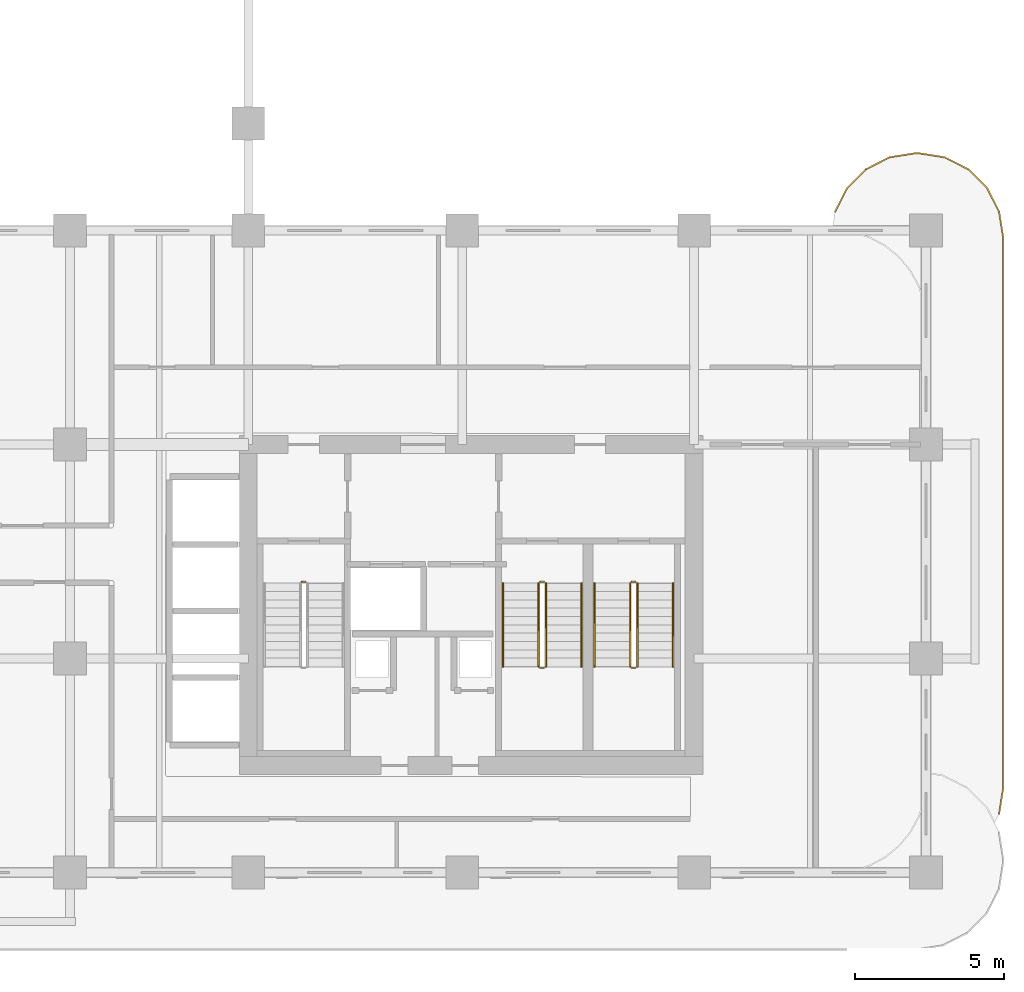
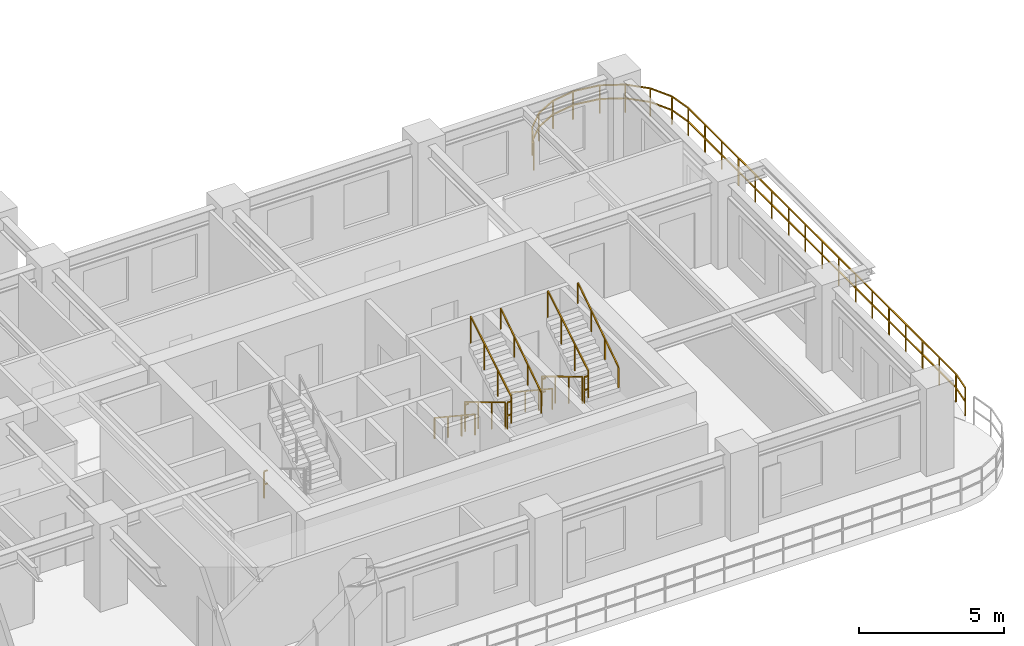
# One storey, part 17 of 19: 14 railings.
"""IFC4 building model written with IfcOpenShell, lengths in metres."""

import ifcopenshell
import ifcopenshell.guid

model = None  # the IFC model being written
_history = None  # IfcOwnerHistory: only IFC2X3 demands one
_inside = {}  # id of a spatial element -> (the spatial element, [elements in it])
_under = {}  # id of a project, library or spatial element -> (it, [spatial elements below it])
_declared = {}  # id of a project -> (the project, [libraries it declares])
_typed = {}  # id of a type object -> (the type object, [elements of that type])
_made_of = {}  # id of a material, layer set ... -> (it, [elements and type objects made of it])


def new_model(schema):
    """Start an empty IFC model of exactly this schema.

    Asked for "IFC4X3", IfcOpenShell would pick the latest addendum, in which some entities
    have other attributes; the version numbers below select the first issue.
    IFC2X3 requires an IfcOwnerHistory on every rooted entity: one is made here for all.
    """
    global model, _history
    if schema == "IFC4X3":
        model = ifcopenshell.file(schema_version=(4, 3, 0, 0))
    else:
        model = ifcopenshell.file(schema=schema)
    _inside.clear()
    _under.clear()
    _declared.clear()
    _typed.clear()
    _made_of.clear()
    _history = None
    if model.schema == "IFC2X3":
        org = make("IfcOrganization", Name="unknown")
        user = make(
            "IfcPersonAndOrganization",
            ThePerson=make("IfcPerson", FamilyName="unknown"),
            TheOrganization=org,
        )
        app = make(
            "IfcApplication",
            ApplicationDeveloper=org,
            Version="unknown",
            ApplicationFullName="unknown",
            ApplicationIdentifier="unknown",
        )
        _history = make(
            "IfcOwnerHistory",
            OwningUser=user,
            OwningApplication=app,
            ChangeAction="ADDED",
            CreationDate=0,
        )
    return model


def make(cls, **values):
    """One entity of the class cls with the attributes given. An attribute that is None is left unset."""
    return model.create_entity(
        cls, **{name: value for name, value in values.items() if value is not None}
    )


def rooted(cls, **values):
    """An entity with a GlobalId (a new one), such as an element, a storey or a relation."""
    return make(cls, GlobalId=ifcopenshell.guid.new(), OwnerHistory=_history, **values)


def si_unit(unit_type, name, prefix=None):
    """IfcSIUnit, for example si_unit("LENGTHUNIT", "METRE", prefix="MILLI")."""
    return make("IfcSIUnit", UnitType=unit_type, Prefix=prefix, Name=name)


def derived_unit(unit_type, elements):
    """IfcDerivedUnit: a product of units, each with its exponent."""
    return make(
        "IfcDerivedUnit",
        Elements=[
            make("IfcDerivedUnitElement", Unit=unit, Exponent=power)
            for unit, power in elements
        ],
        UnitType=unit_type,
    )


def assignment(units):
    """IfcUnitAssignment: the units of a project."""
    return None if units is None else make("IfcUnitAssignment", Units=units)


def point(xyz):
    """IfcCartesianPoint."""
    return None if xyz is None else make("IfcCartesianPoint", Coordinates=xyz)


def direction(xyz):
    """IfcDirection."""
    return None if xyz is None else make("IfcDirection", DirectionRatios=xyz)


def frame(location, z_axis=None, x_axis=None):
    """IfcAxis2Placement3D, a coordinate frame: its origin and axes. An axis left out is left unset."""
    return make(
        "IfcAxis2Placement3D",
        Location=point(location),
        Axis=direction(z_axis),
        RefDirection=direction(x_axis),
    )


def frame_2d(location, x_axis=None):
    """IfcAxis2Placement2D, a coordinate frame in the plane: its origin and x axis."""
    return make(
        "IfcAxis2Placement2D", Location=point(location), RefDirection=direction(x_axis)
    )


def origin():
    """The frame at (0, 0, 0) with its axes left unset."""
    return frame((0.0, 0.0, 0.0))


def origin_2d():
    """The frame at (0, 0) in the plane with its x axis left unset."""
    return frame_2d((0.0, 0.0))


def place(relative_to, where):
    """IfcLocalPlacement: puts the frame where relative to a parent placement (None: the world)."""
    return make(
        "IfcLocalPlacement", PlacementRelTo=relative_to, RelativePlacement=where
    )


def context(
    kind, dimensions, precision=None, world=None, true_north=None, identifier=None
):
    """IfcGeometricRepresentationContext, for example the 3D "Model" context."""
    return make(
        "IfcGeometricRepresentationContext",
        ContextIdentifier=identifier,
        ContextType=kind,
        CoordinateSpaceDimension=dimensions,
        Precision=precision,
        WorldCoordinateSystem=world,
        TrueNorth=true_north,
    )


def subcontext(parent, identifier, kind, view, scale=None):
    """IfcGeometricRepresentationSubContext, for example "Body" below "Model"."""
    return make(
        "IfcGeometricRepresentationSubContext",
        ContextIdentifier=identifier,
        ContextType=kind,
        ParentContext=parent,
        TargetScale=scale,
        TargetView=view,
    )


def project(units=None, contexts=None):
    """IfcProject with its units and contexts."""
    return rooted(
        "IfcProject",
        Name="project",
        RepresentationContexts=contexts,
        UnitsInContext=assignment(units),
    )


def spatial(cls, under=None, at=None, **own):
    """A site, building, storey or space (cls), placed at a placement, below another one or the project."""
    s = rooted(cls, ObjectPlacement=at, **own)
    if under is not None:
        _under.setdefault(under.id(), (under, []))[1].append(s)
    return s


def profile(cls, at=None, kind="AREA", **sizes):
    """A parametric profile (cls). Its sizes go by their IFC names, for example OverallWidth=200.0."""
    return make(cls, ProfileType=kind, Position=at, **sizes)


def rectangle(**sizes):
    """IfcRectangleProfileDef."""
    return profile("IfcRectangleProfileDef", **sizes)


def extrude(swept, where, along, depth):
    """IfcExtrudedAreaSolid: the profile swept, set in the frame where, extruded along a direction by depth."""
    return make(
        "IfcExtrudedAreaSolid",
        SweptArea=swept,
        Position=where,
        ExtrudedDirection=direction(along),
        Depth=depth,
    )


def shape(context_of_items, identifier, shape_type, items):
    """IfcShapeRepresentation: the items that make up one representation, for example the "Body"."""
    return make(
        "IfcShapeRepresentation",
        ContextOfItems=context_of_items,
        RepresentationIdentifier=identifier,
        RepresentationType=shape_type,
        Items=items,
    )


def material(Name=None, Category=None):
    """IfcMaterial."""
    return make("IfcMaterial", Name=Name, Category=Category)


def made_of(thing, what):
    """Note that an element or type object is made of a material, layer set ...; save() writes the relation."""
    if what is not None:
        _made_of.setdefault(what.id(), (what, []))[1].append(thing)
    return thing


def type_object(cls, material=None, **own):
    """A type object (cls), such as IfcWallType, which elements share."""
    return made_of(rooted(cls, **own), material)


def element(
    cls,
    number,
    at=None,
    inside=None,
    cuts=None,
    type_object=None,
    material=None,
    context=None,
    identifier="Body",
    shape_type=None,
    held_by="IfcProductDefinitionShape",
    body=None,
    shapes=None,
    **own,
):
    """One element of the class cls, such as IfcWall. Its Tag is "e" and its number.

    at: its placement. inside: the storey or other place that contains it. cuts: it is an
    opening in that element (IfcRelVoidsElement). A single representation is given by context,
    identifier, shape_type and body (its items); several are given by shapes. held_by: the class
    of the entity that holds the representations. save() writes the other relations.
    """
    e = rooted(cls, Tag="e%d" % number, ObjectPlacement=at, **own)
    if body is not None:
        shapes = [shape(context, identifier, shape_type, body)]
    if shapes is not None:
        e.Representation = make(held_by, Representations=shapes)
    if inside is not None:
        _inside.setdefault(inside.id(), (inside, []))[1].append(e)
    if cuts is not None:
        rooted(
            "IfcRelVoidsElement", RelatingBuildingElement=cuts, RelatedOpeningElement=e
        )
    if type_object is not None:
        _typed.setdefault(type_object.id(), (type_object, []))[1].append(e)
    return made_of(e, material)


def aggregate(whole, parts):
    """IfcRelAggregates: a whole, such as a stair, and the parts it consists of."""
    return rooted("IfcRelAggregates", RelatingObject=whole, RelatedObjects=parts)


def save(model, path):
    """Write the relations noted so far, then the file.

    IfcRelAggregates (storeys below a building ...), IfcRelContainedInSpatialStructure (elements
    in a storey), IfcRelDefinesByType, IfcRelAssociatesMaterial and IfcRelDeclares: one each for
    every whole, place, type object, material and project.
    """
    for whole, parts in _under.values():
        aggregate(whole, parts)
    for where, things in _inside.values():
        rooted(
            "IfcRelContainedInSpatialStructure",
            RelatedElements=things,
            RelatingStructure=where,
        )
    for kind, things in _typed.values():
        rooted("IfcRelDefinesByType", RelatedObjects=things, RelatingType=kind)
    for what, things in _made_of.values():
        rooted("IfcRelAssociatesMaterial", RelatedObjects=things, RelatingMaterial=what)
    for by, libraries in _declared.values():
        rooted("IfcRelDeclares", RelatingContext=by, RelatedDefinitions=libraries)
    model.write(path)


model = new_model("IFC4")

# Units and contexts
model_context = context("Model", 3, precision=1e-05, world=origin(), true_north=direction((0.0, 1.0)))
body_context = subcontext(model_context, "Body", "Model", "MODEL_VIEW")
ifc_project = project(units=[si_unit("LENGTHUNIT", "METRE"), si_unit("AREAUNIT", "SQUARE_METRE"), si_unit("VOLUMEUNIT", "CUBIC_METRE"), si_unit("PLANEANGLEUNIT", "RADIAN"), si_unit("MASSUNIT", "GRAM", prefix="KILO"), si_unit("THERMODYNAMICTEMPERATUREUNIT", "KELVIN"), si_unit("POWERUNIT", "WATT"), derived_unit("THERMALTRANSMITTANCEUNIT", [(si_unit("POWERUNIT", "WATT"), 1), (si_unit("AREAUNIT", "SQUARE_METRE"), -1), (si_unit("THERMODYNAMICTEMPERATUREUNIT", "KELVIN"), -1)])], contexts=[model_context])

# Site, building, storey
site_placement = place(None, origin())
site = spatial("IfcSite", under=ifc_project, at=site_placement, CompositionType="ELEMENT")
building_placement = place(site_placement, origin())
building = spatial("IfcBuilding", under=site, at=building_placement, Name="Zahravan Archway Hotel and Residences", CompositionType="ELEMENT")
storey_placement = place(building_placement, frame((0.0, 0.0, 39.800048828125)))
storey = spatial("IfcBuildingStorey", under=building, at=storey_placement, Name="L08", CompositionType="ELEMENT", Elevation=39.800048828125)

# Railings
ifc_material_1 = material(Name="Bronze & Laminated Glass Balustrade", Category="glass")
railing_type_1 = type_object("IfcRailingType", Name="RL-BAL-1200", PredefinedType="BALUSTRADE", material=ifc_material_1)
railing_1_placement = place(storey_placement, frame((54.53955078125, 22.230712890625, 0.0)))
element("IfcRailing", 1, at=railing_1_placement, inside=storey, type_object=railing_type_1, Name="L08 Balustrade RL-SLB-BAL-L08-EA-1", PredefinedType="BALUSTRADE", context=body_context, shape_type="SweptSolid", body=[
    extrude(rectangle(XDim=0.048095703125, YDim=0.048095703125, at=origin_2d()), frame((0.0, 0.0, 1.17578125), z_axis=(0.453991409995, 0.891006060389, 0.0), x_axis=(-0.891006060389, 0.453991409995, 0.0)), (0.0, 0.0, 1.0), 0.8916015625),
    extrude(rectangle(XDim=0.048095703125, YDim=0.048095703125, at=origin_2d()), frame((0.0, 0.0, 0.60009765625), z_axis=(0.453991409995, 0.891006060389, 0.0), x_axis=(-0.891006060389, 0.453991409995, 0.0)), (0.0, 0.0, 1.0), 0.8916015625),
    extrude(rectangle(XDim=0.048095703125, YDim=0.048095703125, at=origin_2d()), frame((0.40478515625, 0.79443359375, 1.17578125), z_axis=(0.706969864397, 0.70724367147, 0.0), x_axis=(-0.70724367147, 0.706969864397, 0.0)), (0.0, 0.0, 1.0), 0.8916015625),
    extrude(rectangle(XDim=0.048095703125, YDim=0.048095703125, at=origin_2d()), frame((0.40478515625, 0.79443359375, 0.60009765625), z_axis=(0.706969864397, 0.70724367147, 0.0), x_axis=(-0.70724367147, 0.706969864397, 0.0)), (0.0, 0.0, 1.0), 0.8916015625),
    extrude(rectangle(XDim=0.048095703125, YDim=0.048095703125, at=origin_2d()), frame((1.03515625, 1.425048828125, 1.17578125), z_axis=(0.891062476022, 0.45388067135, 0.0), x_axis=(-0.45388067135, 0.891062476022, 0.0)), (0.0, 0.0, 1.0), 0.891845703125),
    extrude(rectangle(XDim=0.048095703125, YDim=0.048095703125, at=origin_2d()), frame((1.03515625, 1.425048828125, 0.60009765625), z_axis=(0.891062476022, 0.45388067135, 0.0), x_axis=(-0.45388067135, 0.891062476022, 0.0)), (0.0, 0.0, 1.0), 0.891845703125),
    extrude(rectangle(XDim=0.048095703125, YDim=0.048095703125, at=origin_2d()), frame((1.829833984375, 1.829833984375, 1.17578125), z_axis=(0.987700720307, 0.156356282588, 0.0), x_axis=(-0.156356282588, 0.987700720307, 0.0)), (0.0, 0.0, 1.0), 0.8916015625),
    extrude(rectangle(XDim=0.048095703125, YDim=0.048095703125, at=origin_2d()), frame((1.829833984375, 1.829833984375, 0.60009765625), z_axis=(0.987700720307, 0.156356282588, 0.0), x_axis=(-0.156356282588, 0.987700720307, 0.0)), (0.0, 0.0, 1.0), 0.8916015625),
    extrude(rectangle(XDim=0.048095703125, YDim=0.048095703125, at=origin_2d()), frame((2.71044921875, 1.96923828125, 1.17578125), z_axis=(1.0, 0.0, 0.0), x_axis=(0.0, 1.0, 0.0)), (0.0, 0.0, 1.0), 0.10009765625),
    extrude(rectangle(XDim=0.048095703125, YDim=0.048095703125, at=origin_2d()), frame((2.71044921875, 1.96923828125, 0.60009765625), z_axis=(1.0, 0.0, 0.0), x_axis=(0.0, 1.0, 0.0)), (0.0, 0.0, 1.0), 0.10009765625),
    extrude(rectangle(XDim=0.048095703125, YDim=0.048095703125, at=origin_2d()), frame((2.810546875, 1.96923828125, 1.17578125), z_axis=(0.987700720307, -0.156356282588, 0.0), x_axis=(0.156356282588, 0.987700720307, 0.0)), (0.0, 0.0, 1.0), 0.8916015625),
    extrude(rectangle(XDim=0.048095703125, YDim=0.048095703125, at=origin_2d()), frame((2.810546875, 1.96923828125, 0.60009765625), z_axis=(0.987700720307, -0.156356282588, 0.0), x_axis=(0.156356282588, 0.987700720307, 0.0)), (0.0, 0.0, 1.0), 0.8916015625),
    extrude(rectangle(XDim=0.048095703125, YDim=0.048095703125, at=origin_2d()), frame((3.691162109375, 1.829833984375, 1.17578125), z_axis=(0.891006060389, -0.453991409995, 0.0), x_axis=(0.453991409995, 0.891006060389, 0.0)), (0.0, 0.0, 1.0), 0.8916015625),
    extrude(rectangle(XDim=0.048095703125, YDim=0.048095703125, at=origin_2d()), frame((3.691162109375, 1.829833984375, 0.60009765625), z_axis=(0.891006060389, -0.453991409995, 0.0), x_axis=(0.453991409995, 0.891006060389, 0.0)), (0.0, 0.0, 1.0), 0.8916015625),
    extrude(rectangle(XDim=0.048095703125, YDim=0.048095703125, at=origin_2d()), frame((4.485595703125, 1.425048828125, 1.17578125), z_axis=(0.707106781187, -0.707106781187, 0.0), x_axis=(0.707106781187, 0.707106781187, 0.0)), (0.0, 0.0, 1.0), 0.891845703125),
    extrude(rectangle(XDim=0.048095703125, YDim=0.048095703125, at=origin_2d()), frame((4.485595703125, 1.425048828125, 0.60009765625), z_axis=(0.707106781187, -0.707106781187, 0.0), x_axis=(0.707106781187, 0.707106781187, 0.0)), (0.0, 0.0, 1.0), 0.891845703125),
    extrude(rectangle(XDim=0.048095703125, YDim=0.048095703125, at=origin_2d()), frame((5.1162109375, 0.79443359375, 1.17578125), z_axis=(0.453991409995, -0.891006060389, 0.0), x_axis=(0.891006060389, 0.453991409995, 0.0)), (0.0, 0.0, 1.0), 0.8916015625),
    extrude(rectangle(XDim=0.048095703125, YDim=0.048095703125, at=origin_2d()), frame((5.1162109375, 0.79443359375, 0.60009765625), z_axis=(0.453991409995, -0.891006060389, 0.0), x_axis=(0.891006060389, 0.453991409995, 0.0)), (0.0, 0.0, 1.0), 0.8916015625),
    extrude(rectangle(XDim=0.048095703125, YDim=0.048095703125, at=origin_2d()), frame((5.52099609375, 0.0, 1.17578125), z_axis=(0.156356282588, -0.987700720307, 0.0), x_axis=(0.987700720307, 0.156356282588, 0.0)), (0.0, 0.0, 1.0), 0.8916015625),
    extrude(rectangle(XDim=0.048095703125, YDim=0.048095703125, at=origin_2d()), frame((5.52099609375, 0.0, 0.60009765625), z_axis=(0.156356282588, -0.987700720307, 0.0), x_axis=(0.987700720307, 0.156356282588, 0.0)), (0.0, 0.0, 1.0), 0.8916015625),
    extrude(rectangle(XDim=0.048095703125, YDim=0.048095703125, at=origin_2d()), frame((5.660400390625, -0.880615234375, 1.17578125), z_axis=(0.0, -1.0, 0.0), x_axis=(1.0, 0.0, 0.0)), (0.0, 0.0, 1.0), 18.5),
    extrude(rectangle(XDim=0.048095703125, YDim=0.048095703125, at=origin_2d()), frame((5.660400390625, -0.880615234375, 0.60009765625), z_axis=(0.0, -1.0, 0.0), x_axis=(1.0, 0.0, 0.0)), (0.0, 0.0, 1.0), 18.5),
    extrude(rectangle(XDim=0.048095703125, YDim=0.048095703125, at=origin_2d()), frame((5.660400390625, -19.380615234375, 1.17578125), z_axis=(-0.156314005608, -0.987707411965, 0.0), x_axis=(0.987707411965, -0.156314005608, 0.0)), (0.0, 0.0, 1.0), 0.891845703125),
    extrude(rectangle(XDim=0.048095703125, YDim=0.048095703125, at=origin_2d()), frame((5.660400390625, -19.380615234375, 0.60009765625), z_axis=(-0.156314005608, -0.987707411965, 0.0), x_axis=(0.987707411965, -0.156314005608, 0.0)), (0.0, 0.0, 1.0), 0.891845703125),
    extrude(rectangle(XDim=0.0419921875, YDim=0.0419921875, at=origin_2d()), origin(), (0.0, 0.0, 1.0), 1.15185546875),
    extrude(rectangle(XDim=0.0419921875, YDim=0.0419921875, at=origin_2d()), frame((0.40478515625, 0.79443359375, 0.0)), (0.0, 0.0, 1.0), 1.15185546875),
    extrude(rectangle(XDim=0.0419921875, YDim=0.0419921875, at=origin_2d()), frame((1.03515625, 1.425048828125, 0.0)), (0.0, 0.0, 1.0), 1.15185546875),
    extrude(rectangle(XDim=0.0419921875, YDim=0.0419921875, at=origin_2d()), frame((1.829833984375, 1.829833984375, 0.0)), (0.0, 0.0, 1.0), 1.15185546875),
    extrude(rectangle(XDim=0.0419921875, YDim=0.0419921875, at=origin_2d()), frame((2.71044921875, 1.96923828125, 0.0)), (0.0, 0.0, 1.0), 1.15185546875),
    extrude(rectangle(XDim=0.0419921875, YDim=0.0419921875, at=origin_2d()), frame((3.691162109375, 1.829833984375, 0.0)), (0.0, 0.0, 1.0), 1.15185546875),
    extrude(rectangle(XDim=0.0419921875, YDim=0.0419921875, at=origin_2d()), frame((4.485595703125, 1.425048828125, 0.0)), (0.0, 0.0, 1.0), 1.15185546875),
    extrude(rectangle(XDim=0.0419921875, YDim=0.0419921875, at=origin_2d()), frame((5.1162109375, 0.79443359375, 0.0)), (0.0, 0.0, 1.0), 1.15185546875),
    extrude(rectangle(XDim=0.0419921875, YDim=0.0419921875, at=origin_2d()), frame((5.52099609375, 0.0, 0.0)), (0.0, 0.0, 1.0), 1.15185546875),
    extrude(rectangle(XDim=0.0419921875, YDim=0.0419921875, at=origin_2d()), frame((5.660400390625, -0.880615234375, 0.0)), (0.0, 0.0, 1.0), 1.15185546875),
    extrude(rectangle(XDim=0.0419921875, YDim=0.0419921875, at=origin_2d()), frame((5.660400390625, -2.036865234375, 0.0)), (0.0, 0.0, 1.0), 1.15185546875),
    extrude(rectangle(XDim=0.0419921875, YDim=0.0419921875, at=origin_2d()), frame((5.660400390625, -3.193115234375, 0.0)), (0.0, 0.0, 1.0), 1.15185546875),
    extrude(rectangle(XDim=0.0419921875, YDim=0.0419921875, at=origin_2d()), frame((5.660400390625, -4.349365234375, 0.0)), (0.0, 0.0, 1.0), 1.15185546875),
    extrude(rectangle(XDim=0.0419921875, YDim=0.0419921875, at=origin_2d()), frame((5.660400390625, -5.505615234375, 0.0)), (0.0, 0.0, 1.0), 1.15185546875),
    extrude(rectangle(XDim=0.0419921875, YDim=0.0419921875, at=origin_2d()), frame((5.660400390625, -6.661865234375, 0.0)), (0.0, 0.0, 1.0), 1.15185546875),
    extrude(rectangle(XDim=0.0419921875, YDim=0.0419921875, at=origin_2d()), frame((5.660400390625, -7.818115234375, 0.0)), (0.0, 0.0, 1.0), 1.15185546875),
    extrude(rectangle(XDim=0.0419921875, YDim=0.0419921875, at=origin_2d()), frame((5.660400390625, -8.974365234375, 0.0)), (0.0, 0.0, 1.0), 1.15185546875),
    extrude(rectangle(XDim=0.0419921875, YDim=0.0419921875, at=origin_2d()), frame((5.660400390625, -10.130615234375, 0.0)), (0.0, 0.0, 1.0), 1.15185546875),
    extrude(rectangle(XDim=0.0419921875, YDim=0.0419921875, at=origin_2d()), frame((5.660400390625, -11.286865234375, 0.0)), (0.0, 0.0, 1.0), 1.15185546875),
    extrude(rectangle(XDim=0.0419921875, YDim=0.0419921875, at=origin_2d()), frame((5.660400390625, -12.443115234375, 0.0)), (0.0, 0.0, 1.0), 1.15185546875),
    extrude(rectangle(XDim=0.0419921875, YDim=0.0419921875, at=origin_2d()), frame((5.660400390625, -13.599365234375, 0.0)), (0.0, 0.0, 1.0), 1.15185546875),
    extrude(rectangle(XDim=0.0419921875, YDim=0.0419921875, at=origin_2d()), frame((5.660400390625, -14.755615234375, 0.0)), (0.0, 0.0, 1.0), 1.15185546875),
    extrude(rectangle(XDim=0.0419921875, YDim=0.0419921875, at=origin_2d()), frame((5.660400390625, -15.911865234375, 0.0)), (0.0, 0.0, 1.0), 1.15185546875),
    extrude(rectangle(XDim=0.0419921875, YDim=0.0419921875, at=origin_2d()), frame((5.660400390625, -17.068115234375, 0.0)), (0.0, 0.0, 1.0), 1.15185546875),
    extrude(rectangle(XDim=0.0419921875, YDim=0.0419921875, at=origin_2d()), frame((5.660400390625, -18.224365234375, 0.0)), (0.0, 0.0, 1.0), 1.15185546875),
    extrude(rectangle(XDim=0.0419921875, YDim=0.0419921875, at=origin_2d()), frame((5.660400390625, -19.380615234375, 0.0)), (0.0, 0.0, 1.0), 1.15185546875),
    extrude(rectangle(XDim=0.0419921875, YDim=0.0419921875, at=origin_2d()), frame((5.52099609375, -20.261474609375, 0.0)), (0.0, 0.0, 1.0), 1.15185546875),
])
ifc_material_2 = material(Name="Painted Tubular Steel", Category="steel")
railing_type_2 = type_object("IfcRailingType", Name="RL-STG-1150", PredefinedType="GUARDRAIL", material=ifc_material_2)
railing_2_placement = place(storey_placement, frame((36.60009765625, 9.780029296875, 0.0)))
element("IfcRailing", 2, at=railing_2_placement, inside=storey, type_object=railing_type_2, Name="L08 ST-A1 stair guard 4", PredefinedType="GUARDRAIL", context=body_context, shape_type="SweptSolid", body=[
    extrude(rectangle(XDim=0.048095703125, YDim=0.048095703125, at=origin_2d()), frame((0.0, 0.0, 1.1259765625), z_axis=(1.0, 0.0, 0.0), x_axis=(0.0, 1.0, 0.0)), (0.0, 0.0, 1.0), 0.139892578125),
    extrude(rectangle(XDim=0.048095703125, YDim=0.048095703125, at=origin_2d()), frame((0.0, 0.0, 0.574951171875), z_axis=(1.0, 0.0, 0.0), x_axis=(0.0, 1.0, 0.0)), (0.0, 0.0, 1.0), 0.139892578125),
    extrude(rectangle(XDim=0.0419921875, YDim=0.0419921875, at=origin_2d()), origin(), (0.0, 0.0, 1.0), 1.101806640625),
])
railing_3_placement = place(storey_placement, frame((44.570068359375, 9.72998046875, 0.168212890625)))
element("IfcRailing", 3, at=railing_3_placement, inside=storey, type_object=railing_type_2, Name="L08 ST-A2 stair guard 1", PredefinedType="GUARDRAIL", context=body_context, shape_type="SweptSolid", body=[
    extrude(rectangle(XDim=0.048095703125, YDim=0.048095703125, at=origin_2d()), frame((0.0, 0.0, 1.1259765625), z_axis=(0.0, -0.857275202839, 0.514858452973), x_axis=(1.0, 0.0, 0.0)), (0.0, 0.0, 1.0), 3.26611328125),
    extrude(rectangle(XDim=0.0419921875, YDim=0.0419921875, at=origin_2d()), origin(), (0.0, 0.0, 1.0), 1.101806640625),
    extrude(rectangle(XDim=0.0419921875, YDim=0.0419921875, at=origin_2d()), frame((0.0, -0.933349609375, 0.560546875)), (0.0, 0.0, 1.0), 1.101806640625),
    extrude(rectangle(XDim=0.0419921875, YDim=0.0419921875, at=origin_2d()), frame((0.0, -1.86669921875, 1.12109375)), (0.0, 0.0, 1.0), 1.101806640625),
    extrude(rectangle(XDim=0.0419921875, YDim=0.0419921875, at=origin_2d()), frame((0.0, -2.800048828125, 1.681640625)), (0.0, 0.0, 1.0), 1.101806640625),
])
railing_4_placement = place(storey_placement, frame((44.6201171875, 6.8798828125, 1.849853515625)))
element("IfcRailing", 4, at=railing_4_placement, inside=storey, type_object=railing_type_2, Name="L08 ST-A2 stair guard 2", PredefinedType="GUARDRAIL", context=body_context, shape_type="SweptSolid", body=[
    extrude(rectangle(XDim=0.048095703125, YDim=0.048095703125, at=origin_2d()), frame((0.0, 0.0, 1.1259765625), z_axis=(1.0, 0.0, 0.0), x_axis=(0.0, 1.0, 0.0)), (0.0, 0.0, 1.0), 0.139892578125),
    extrude(rectangle(XDim=0.048095703125, YDim=0.048095703125, at=origin_2d()), frame((0.0, 0.0, 0.574951171875), z_axis=(1.0, 0.0, 0.0), x_axis=(0.0, 1.0, 0.0)), (0.0, 0.0, 1.0), 0.139892578125),
    extrude(rectangle(XDim=0.0419921875, YDim=0.0419921875, at=origin_2d()), origin(), (0.0, 0.0, 1.0), 1.101806640625),
])
railing_5_placement = place(storey_placement, frame((44.81005859375, 6.929931640625, 2.01806640625)))
element("IfcRailing", 5, at=railing_5_placement, inside=storey, type_object=railing_type_2, Name="L08 ST-A2 stair guard 3", PredefinedType="GUARDRAIL", context=body_context, shape_type="SweptSolid", body=[
    extrude(rectangle(XDim=0.048095703125, YDim=0.048095703125, at=origin_2d()), frame((0.0, 0.0, 1.1259765625), z_axis=(0.0, 0.857242210791, 0.514913383045), x_axis=(-1.0, 0.0, 0.0)), (0.0, 0.0, 1.0), 3.266357421875),
    extrude(rectangle(XDim=0.0419921875, YDim=0.0419921875, at=origin_2d()), origin(), (0.0, 0.0, 1.0), 1.101806640625),
    extrude(rectangle(XDim=0.0419921875, YDim=0.0419921875, at=origin_2d()), frame((0.0, 0.933349609375, 0.560546875)), (0.0, 0.0, 1.0), 1.101806640625),
    extrude(rectangle(XDim=0.0419921875, YDim=0.0419921875, at=origin_2d()), frame((0.0, 1.86669921875, 1.121337890625)), (0.0, 0.0, 1.0), 1.101806640625),
    extrude(rectangle(XDim=0.0419921875, YDim=0.0419921875, at=origin_2d()), frame((0.0, 2.800048828125, 1.681884765625)), (0.0, 0.0, 1.0), 1.101806640625),
])
railing_6_placement = place(storey_placement, frame((44.6201171875, 9.780029296875, 0.0)))
element("IfcRailing", 6, at=railing_6_placement, inside=storey, type_object=railing_type_2, Name="L08 ST-A2 stair guard 4", PredefinedType="GUARDRAIL", context=body_context, shape_type="SweptSolid", body=[
    extrude(rectangle(XDim=0.048095703125, YDim=0.048095703125, at=origin_2d()), frame((0.0, 0.0, 1.1259765625), z_axis=(1.0, 0.0, 0.0), x_axis=(0.0, 1.0, 0.0)), (0.0, 0.0, 1.0), 0.139892578125),
    extrude(rectangle(XDim=0.048095703125, YDim=0.048095703125, at=origin_2d()), frame((0.0, 0.0, 0.574951171875), z_axis=(1.0, 0.0, 0.0), x_axis=(0.0, 1.0, 0.0)), (0.0, 0.0, 1.0), 0.139892578125),
    extrude(rectangle(XDim=0.0419921875, YDim=0.0419921875, at=origin_2d()), origin(), (0.0, 0.0, 1.0), 1.101806640625),
])
railing_7_placement = place(storey_placement, frame((47.64990234375, 9.72998046875, 0.168212890625)))
element("IfcRailing", 7, at=railing_7_placement, inside=storey, type_object=railing_type_2, Name="L08 ST-A3 stair guard 1", PredefinedType="GUARDRAIL", context=body_context, shape_type="SweptSolid", body=[
    extrude(rectangle(XDim=0.048095703125, YDim=0.048095703125, at=origin_2d()), frame((0.0, 0.0, 1.1259765625), z_axis=(0.0, -0.857275202839, 0.514858452973), x_axis=(1.0, 0.0, 0.0)), (0.0, 0.0, 1.0), 3.26611328125),
    extrude(rectangle(XDim=0.0419921875, YDim=0.0419921875, at=origin_2d()), origin(), (0.0, 0.0, 1.0), 1.101806640625),
    extrude(rectangle(XDim=0.0419921875, YDim=0.0419921875, at=origin_2d()), frame((0.0, -0.933349609375, 0.560546875)), (0.0, 0.0, 1.0), 1.101806640625),
    extrude(rectangle(XDim=0.0419921875, YDim=0.0419921875, at=origin_2d()), frame((0.0, -1.86669921875, 1.12109375)), (0.0, 0.0, 1.0), 1.101806640625),
    extrude(rectangle(XDim=0.0419921875, YDim=0.0419921875, at=origin_2d()), frame((0.0, -2.800048828125, 1.681640625)), (0.0, 0.0, 1.0), 1.101806640625),
])
railing_8_placement = place(storey_placement, frame((47.699951171875, 6.8798828125, 1.849853515625)))
element("IfcRailing", 8, at=railing_8_placement, inside=storey, type_object=railing_type_2, Name="L08 ST-A3 stair guard 2", PredefinedType="GUARDRAIL", context=body_context, shape_type="SweptSolid", body=[
    extrude(rectangle(XDim=0.048095703125, YDim=0.048095703125, at=origin_2d()), frame((0.0, 0.0, 1.1259765625), z_axis=(1.0, 0.0, 0.0), x_axis=(0.0, 1.0, 0.0)), (0.0, 0.0, 1.0), 0.14013671875),
    extrude(rectangle(XDim=0.048095703125, YDim=0.048095703125, at=origin_2d()), frame((0.0, 0.0, 0.574951171875), z_axis=(1.0, 0.0, 0.0), x_axis=(0.0, 1.0, 0.0)), (0.0, 0.0, 1.0), 0.14013671875),
    extrude(rectangle(XDim=0.0419921875, YDim=0.0419921875, at=origin_2d()), origin(), (0.0, 0.0, 1.0), 1.101806640625),
])
railing_9_placement = place(storey_placement, frame((47.889892578125, 6.929931640625, 2.01806640625)))
element("IfcRailing", 9, at=railing_9_placement, inside=storey, type_object=railing_type_2, Name="L08 ST-A3 stair guard 3", PredefinedType="GUARDRAIL", context=body_context, shape_type="SweptSolid", body=[
    extrude(rectangle(XDim=0.048095703125, YDim=0.048095703125, at=origin_2d()), frame((0.0, 0.0, 1.1259765625), z_axis=(0.0, 0.857242210791, 0.514913383045), x_axis=(-1.0, 0.0, 0.0)), (0.0, 0.0, 1.0), 3.266357421875),
    extrude(rectangle(XDim=0.0419921875, YDim=0.0419921875, at=origin_2d()), origin(), (0.0, 0.0, 1.0), 1.101806640625),
    extrude(rectangle(XDim=0.0419921875, YDim=0.0419921875, at=origin_2d()), frame((0.0, 0.933349609375, 0.560546875)), (0.0, 0.0, 1.0), 1.101806640625),
    extrude(rectangle(XDim=0.0419921875, YDim=0.0419921875, at=origin_2d()), frame((0.0, 1.86669921875, 1.121337890625)), (0.0, 0.0, 1.0), 1.101806640625),
    extrude(rectangle(XDim=0.0419921875, YDim=0.0419921875, at=origin_2d()), frame((0.0, 2.800048828125, 1.681884765625)), (0.0, 0.0, 1.0), 1.101806640625),
])
railing_10_placement = place(storey_placement, frame((47.699951171875, 9.780029296875, 0.0)))
element("IfcRailing", 10, at=railing_10_placement, inside=storey, type_object=railing_type_2, Name="L08 ST-A3 stair guard 4", PredefinedType="GUARDRAIL", context=body_context, shape_type="SweptSolid", body=[
    extrude(rectangle(XDim=0.048095703125, YDim=0.048095703125, at=origin_2d()), frame((0.0, 0.0, 1.1259765625), z_axis=(1.0, 0.0, 0.0), x_axis=(0.0, 1.0, 0.0)), (0.0, 0.0, 1.0), 0.14013671875),
    extrude(rectangle(XDim=0.048095703125, YDim=0.048095703125, at=origin_2d()), frame((0.0, 0.0, 0.574951171875), z_axis=(1.0, 0.0, 0.0), x_axis=(0.0, 1.0, 0.0)), (0.0, 0.0, 1.0), 0.14013671875),
    extrude(rectangle(XDim=0.0419921875, YDim=0.0419921875, at=origin_2d()), origin(), (0.0, 0.0, 1.0), 1.101806640625),
])
ifc_material_3 = material(Name="Brushed Stainless Steel", Category="steel")
railing_type_3 = type_object("IfcRailingType", Name="RL-STH-900", PredefinedType="HANDRAIL", material=ifc_material_3)
railing_11_placement = place(storey_placement, frame((43.3701171875, 9.72998046875, 0.168212890625)))
element("IfcRailing", 11, at=railing_11_placement, inside=storey, type_object=railing_type_3, Name="L08 ST-A2 stair handrail 1", PredefinedType="HANDRAIL", context=body_context, shape_type="SweptSolid", body=[
    extrude(rectangle(XDim=0.048095703125, YDim=0.048095703125, at=origin_2d()), frame((0.0, 0.0, 0.8759765625), z_axis=(0.0, -0.83435981716, 0.551220187865), x_axis=(1.0, 0.0, 0.0)), (0.0, 0.0, 1.0), 3.35595703125),
    extrude(rectangle(XDim=0.0419921875, YDim=0.0419921875, at=origin_2d()), origin(), (0.0, 0.0, 1.0), 0.851806640625),
    extrude(rectangle(XDim=0.0419921875, YDim=0.0419921875, at=origin_2d()), frame((0.0, -0.933349609375, 0.61669921875)), (0.0, 0.0, 1.0), 0.851806640625),
    extrude(rectangle(XDim=0.0419921875, YDim=0.0419921875, at=origin_2d()), frame((0.0, -1.86669921875, 1.233154296875)), (0.0, 0.0, 1.0), 0.851806640625),
    extrude(rectangle(XDim=0.0419921875, YDim=0.0419921875, at=origin_2d()), frame((0.0, -2.800048828125, 1.849853515625)), (0.0, 0.0, 1.0), 0.851806640625),
])
railing_12_placement = place(storey_placement, frame((46.010009765625, 6.929931640625, 2.01806640625)))
element("IfcRailing", 12, at=railing_12_placement, inside=storey, type_object=railing_type_3, Name="L08 ST-A2 stair handrail 2", PredefinedType="HANDRAIL", context=body_context, shape_type="SweptSolid", body=[
    extrude(rectangle(XDim=0.048095703125, YDim=0.048095703125, at=origin_2d()), frame((0.0, 0.0, 0.8759765625), z_axis=(0.0, 0.834326358476, 0.551270829586), x_axis=(-1.0, 0.0, 0.0)), (0.0, 0.0, 1.0), 3.35595703125),
    extrude(rectangle(XDim=0.0419921875, YDim=0.0419921875, at=origin_2d()), origin(), (0.0, 0.0, 1.0), 0.851806640625),
    extrude(rectangle(XDim=0.0419921875, YDim=0.0419921875, at=origin_2d()), frame((0.0, 0.933349609375, 0.61669921875)), (0.0, 0.0, 1.0), 0.851806640625),
    extrude(rectangle(XDim=0.0419921875, YDim=0.0419921875, at=origin_2d()), frame((0.0, 1.86669921875, 1.2333984375)), (0.0, 0.0, 1.0), 0.851806640625),
    extrude(rectangle(XDim=0.0419921875, YDim=0.0419921875, at=origin_2d()), frame((0.0, 2.800048828125, 1.85009765625)), (0.0, 0.0, 1.0), 0.851806640625),
])
railing_13_placement = place(storey_placement, frame((46.449951171875, 9.72998046875, 0.168212890625)))
element("IfcRailing", 13, at=railing_13_placement, inside=storey, type_object=railing_type_3, Name="L08 ST-A3 stair handrail 1", PredefinedType="HANDRAIL", context=body_context, shape_type="SweptSolid", body=[
    extrude(rectangle(XDim=0.048095703125, YDim=0.048095703125, at=origin_2d()), frame((0.0, 0.0, 0.8759765625), z_axis=(0.0, -0.83435981716, 0.551220187865), x_axis=(1.0, 0.0, 0.0)), (0.0, 0.0, 1.0), 3.35595703125),
    extrude(rectangle(XDim=0.0419921875, YDim=0.0419921875, at=origin_2d()), origin(), (0.0, 0.0, 1.0), 0.851806640625),
    extrude(rectangle(XDim=0.0419921875, YDim=0.0419921875, at=origin_2d()), frame((0.0, -0.933349609375, 0.61669921875)), (0.0, 0.0, 1.0), 0.851806640625),
    extrude(rectangle(XDim=0.0419921875, YDim=0.0419921875, at=origin_2d()), frame((0.0, -1.86669921875, 1.233154296875)), (0.0, 0.0, 1.0), 0.851806640625),
    extrude(rectangle(XDim=0.0419921875, YDim=0.0419921875, at=origin_2d()), frame((0.0, -2.800048828125, 1.849853515625)), (0.0, 0.0, 1.0), 0.851806640625),
])
railing_14_placement = place(storey_placement, frame((49.090087890625, 6.929931640625, 2.01806640625)))
element("IfcRailing", 14, at=railing_14_placement, inside=storey, type_object=railing_type_3, Name="L08 ST-A3 stair handrail 2", PredefinedType="HANDRAIL", context=body_context, shape_type="SweptSolid", body=[
    extrude(rectangle(XDim=0.048095703125, YDim=0.048095703125, at=origin_2d()), frame((0.0, 0.0, 0.8759765625), z_axis=(0.0, 0.834326358476, 0.551270829586), x_axis=(-1.0, 0.0, 0.0)), (0.0, 0.0, 1.0), 3.35595703125),
    extrude(rectangle(XDim=0.0419921875, YDim=0.0419921875, at=origin_2d()), origin(), (0.0, 0.0, 1.0), 0.851806640625),
    extrude(rectangle(XDim=0.0419921875, YDim=0.0419921875, at=origin_2d()), frame((0.0, 0.933349609375, 0.61669921875)), (0.0, 0.0, 1.0), 0.851806640625),
    extrude(rectangle(XDim=0.0419921875, YDim=0.0419921875, at=origin_2d()), frame((0.0, 1.86669921875, 1.2333984375)), (0.0, 0.0, 1.0), 0.851806640625),
    extrude(rectangle(XDim=0.0419921875, YDim=0.0419921875, at=origin_2d()), frame((0.0, 2.800048828125, 1.85009765625)), (0.0, 0.0, 1.0), 0.851806640625),
])

save(model, "model.ifc")
